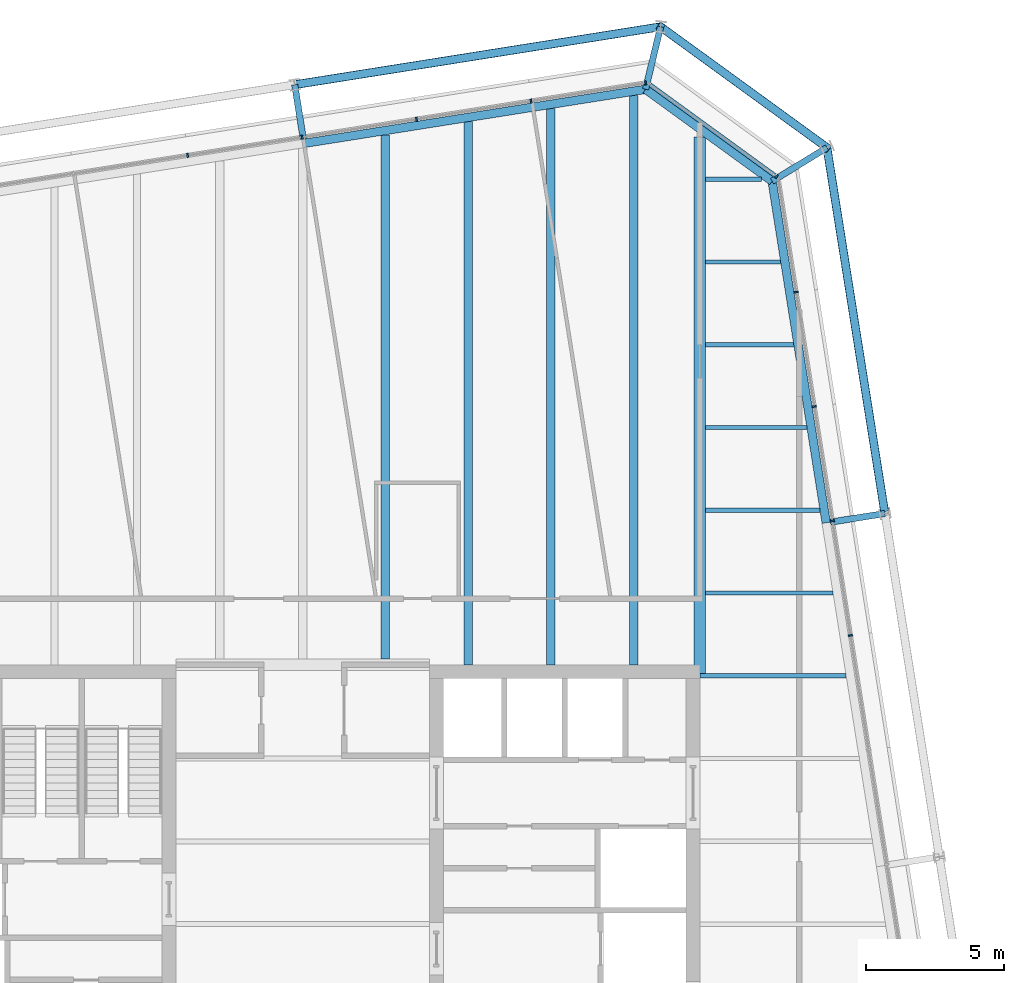
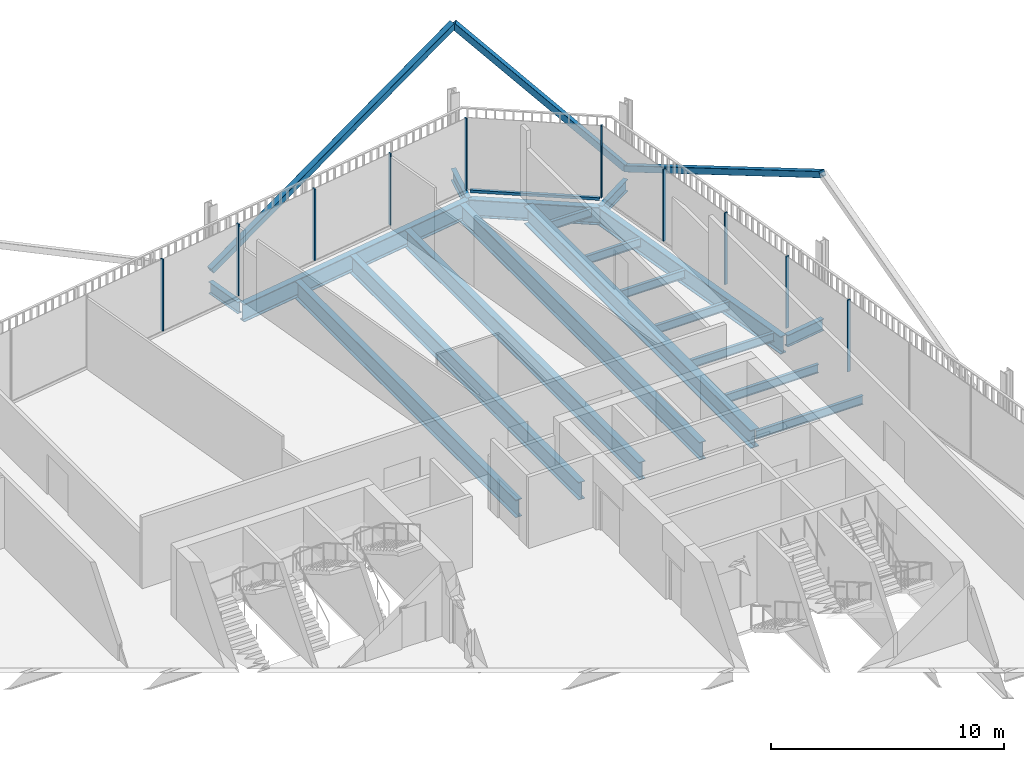
# One storey, part 15 of 21: 19 beams, 14 members, 3 elements without a shape of their own.
"""IFC4 building model written with IfcOpenShell, lengths in metres."""

from ifc_helpers import new_model, si_unit, direction, frame, origin, origin_2d, place, context, subcontext, project, spatial, rectangle, hollow_rectangle, i_section, extrude, material, layer, layer_set, material_profile, profile_set, type_object, element, aggregate, save


model = new_model("IFC4")

# Units and contexts
model_context = context("Model", 3, precision=1e-05, world=origin(), true_north=direction((0.0, 1.0)))
body_context = subcontext(model_context, "Body", "Model", "MODEL_VIEW")
ifc_project = project(units=[si_unit("LENGTHUNIT", "METRE"), si_unit("AREAUNIT", "SQUARE_METRE"), si_unit("VOLUMEUNIT", "CUBIC_METRE"), si_unit("PLANEANGLEUNIT", "RADIAN"), si_unit("MASSUNIT", "GRAM", prefix="KILO")], contexts=[model_context])

# Site, building, storey
site_placement = place(None, origin())
site = spatial("IfcSite", under=ifc_project, at=site_placement, CompositionType="ELEMENT")
building_placement = place(site_placement, origin())
building = spatial("IfcBuilding", under=site, at=building_placement, Name="Millrace Tower", CompositionType="ELEMENT")
storey_placement = place(building_placement, frame((0.0, 0.0, 255.199951171875)))
storey = spatial("IfcBuildingStorey", under=building, at=storey_placement, Name="L58", CompositionType="ELEMENT", Elevation=255.199951171875)

# Curtain wall, members
ifc_material_1 = material(Name="Aluminium and glass", Category="aluminium")
ifc_layer = layer(ifc_material_1, 0.14990234375)
ifc_layer_set = layer_set([ifc_layer], Name="Aluminium and glass")
curtain_wall_type = type_object("IfcCurtainWallType", Name="CW-1 office vision curtain wall", PredefinedType="NOTDEFINED", material=ifc_layer_set)
placement = place(storey_placement, origin())
curtain_wall_1 = element("IfcCurtainWall", 1, at=placement, inside=storey, type_object=curtain_wall_type, Name="Curtain wall D-F04 L58", PredefinedType="NOTDEFINED")
ifc_material_2 = material(Name="Aluminium", Category="aluminium")
ifc_material_profile_1 = material_profile(ifc_material_2, rectangle(XDim=0.06494140625, YDim=0.14990234375, at=origin_2d()))
ifc_profile_set_1 = profile_set([ifc_material_profile_1], Name="Aluminium")
member_type_1 = type_object("IfcMemberType", Name="CW-1 office vision curtain wall mullion", PredefinedType="MULLION", material=ifc_profile_set_1)
member_1_placement = place(storey_placement, frame((19.857421875, 10.466064453125, 0.14013671875), z_axis=(0.0, 0.0, 1.0), x_axis=(-0.156434471884, 0.987688339511, 0.0)))
member_1 = element("IfcMember", 2, at=member_1_placement, type_object=member_type_1, Name="CW1 mullion D-F04.6", PredefinedType="MULLION", context=body_context, shape_type="SweptSolid", body=[
    extrude(rectangle(XDim=0.06494140625, YDim=0.14990234375, at=origin_2d()), origin(), (0.0, 0.0, 1.0), 3.760009765625),
])
member_2_placement = place(storey_placement, frame((19.2001953125, 14.6142578125, 0.14013671875), z_axis=(0.0, 0.0, 1.0), x_axis=(-0.156434471884, 0.987688339511, 0.0)))
member_2 = element("IfcMember", 3, at=member_2_placement, type_object=member_type_1, Name="CW1 mullion D-F04.7", PredefinedType="MULLION", context=body_context, shape_type="SweptSolid", body=[
    extrude(rectangle(XDim=0.06494140625, YDim=0.14990234375, at=origin_2d()), origin(), (0.0, 0.0, 1.0), 3.760009765625),
])
member_3_placement = place(storey_placement, frame((18.543212890625, 18.762451171875, 0.14013671875), z_axis=(0.0, 0.0, 1.0), x_axis=(-0.156434471884, 0.987688339511, 0.0)))
member_3 = element("IfcMember", 4, at=member_3_placement, type_object=member_type_1, Name="CW1 mullion D-F04.8", PredefinedType="MULLION", context=body_context, shape_type="SweptSolid", body=[
    extrude(rectangle(XDim=0.06494140625, YDim=0.14990234375, at=origin_2d()), origin(), (0.0, 0.0, 1.0), 3.760009765625),
])
member_4_placement = place(storey_placement, frame((17.88623046875, 22.910888671875, 0.14013671875), z_axis=(0.0, 0.0, 1.0), x_axis=(-0.156434471884, 0.987688339511, 0.0)))
member_4 = element("IfcMember", 5, at=member_4_placement, type_object=member_type_1, Name="CW1 mullion D-F04.9", PredefinedType="MULLION", context=body_context, shape_type="SweptSolid", body=[
    extrude(rectangle(XDim=0.06494140625, YDim=0.14990234375, at=origin_2d()), origin(), (0.0, 0.0, 1.0), 3.760009765625),
])
aggregate(curtain_wall_1, [member_1, member_2, member_3, member_4])

# Curtain wall, member
curtain_wall_2 = element("IfcCurtainWall", 6, at=placement, inside=storey, type_object=curtain_wall_type, Name="Curtain wall D-F05 L58", PredefinedType="NOTDEFINED")
member_5_placement = place(storey_placement, frame((17.177978515625, 27.094970703125, 0.14013671875), z_axis=(0.0, 0.0, 1.0), x_axis=(-0.809016955361, 0.587785305991, 0.0)))
member_5 = element("IfcMember", 7, at=member_5_placement, type_object=member_type_1, Name="CW1 mullion D-F05.1", PredefinedType="MULLION", context=body_context, shape_type="SweptSolid", body=[
    extrude(rectangle(XDim=0.06494140625, YDim=0.14990234375, at=origin_2d()), origin(), (0.0, 0.0, 1.0), 3.760009765625),
])

# Curtain wall, members
curtain_wall_3 = element("IfcCurtainWall", 8, at=placement, inside=storey, type_object=curtain_wall_type, Name="Curtain wall D-F06 L58", PredefinedType="NOTDEFINED")
member_6_placement = place(storey_placement, frame((12.425537109375, 30.492431640625, 0.14013671875), z_axis=(0.0, 0.0, 1.0), x_axis=(-0.987688339511, -0.156434471884, 0.0)))
member_6 = element("IfcMember", 9, at=member_6_placement, type_object=member_type_1, Name="CW1 mullion D-F06.1", PredefinedType="MULLION", context=body_context, shape_type="SweptSolid", body=[
    extrude(rectangle(XDim=0.06494140625, YDim=0.14990234375, at=origin_2d()), origin(), (0.0, 0.0, 1.0), 3.760009765625),
])
member_7_placement = place(storey_placement, frame((8.277099609375, 29.83544921875, 0.14013671875), z_axis=(0.0, 0.0, 1.0), x_axis=(-0.987688339511, -0.156434471884, 0.0)))
member_7 = element("IfcMember", 10, at=member_7_placement, type_object=member_type_1, Name="CW1 mullion D-F06.2", PredefinedType="MULLION", context=body_context, shape_type="SweptSolid", body=[
    extrude(rectangle(XDim=0.06494140625, YDim=0.14990234375, at=origin_2d()), origin(), (0.0, 0.0, 1.0), 3.760009765625),
])
member_8_placement = place(storey_placement, frame((4.12890625, 29.178466796875, 0.14013671875), z_axis=(0.0, 0.0, 1.0), x_axis=(-0.987688339511, -0.156434471884, 0.0)))
member_8 = element("IfcMember", 11, at=member_8_placement, type_object=member_type_1, Name="CW1 mullion D-F06.3", PredefinedType="MULLION", context=body_context, shape_type="SweptSolid", body=[
    extrude(rectangle(XDim=0.06494140625, YDim=0.14990234375, at=origin_2d()), origin(), (0.0, 0.0, 1.0), 3.760009765625),
])
member_9_placement = place(storey_placement, frame((-0.019287109375, 28.521240234375, 0.14013671875), z_axis=(0.0, 0.0, 1.0), x_axis=(-0.987688339511, -0.156434471884, 0.0)))
member_9 = element("IfcMember", 12, at=member_9_placement, type_object=member_type_1, Name="CW1 mullion D-F06.4", PredefinedType="MULLION", context=body_context, shape_type="SweptSolid", body=[
    extrude(rectangle(XDim=0.06494140625, YDim=0.14990234375, at=origin_2d()), origin(), (0.0, 0.0, 1.0), 3.760009765625),
])
member_10_placement = place(storey_placement, frame((-4.167724609375, 27.8642578125, 0.14013671875), z_axis=(0.0, 0.0, 1.0), x_axis=(-0.987688339511, -0.156434471884, 0.0)))
member_10 = element("IfcMember", 13, at=member_10_placement, type_object=member_type_1, Name="CW1 mullion D-F06.5", PredefinedType="MULLION", context=body_context, shape_type="SweptSolid", body=[
    extrude(rectangle(XDim=0.06494140625, YDim=0.14990234375, at=origin_2d()), origin(), (0.0, 0.0, 1.0), 3.760009765625),
])
aggregate(curtain_wall_3, [member_6, member_7, member_8, member_9, member_10])

# Member
ifc_material_3 = material(Name="Aluminium", Category="aluminium")
ifc_material_profile_2 = material_profile(ifc_material_3, rectangle(XDim=0.14990234375, YDim=0.139892578125, at=origin_2d()))
ifc_profile_set_2 = profile_set([ifc_material_profile_2], Name="Aluminium")
member_type_2 = type_object("IfcMemberType", Name="CW-1 office vision curtain wall transom", PredefinedType="USERDEFINED", material=ifc_profile_set_2)
member_11_placement = place(storey_placement, frame((17.123291015625, 27.134765625, 0.070068359375), z_axis=(-0.809018869857, 0.587782670904, 0.0), x_axis=(-0.587782670904, -0.809018869857, 0.0)))
member_11 = element("IfcMember", 14, at=member_11_placement, type_object=member_type_2, Name="CW1 transom D-F05.1", ObjectType="TRANSOM", PredefinedType="USERDEFINED", context=body_context, shape_type="SweptSolid", body=[
    extrude(rectangle(XDim=0.14990234375, YDim=0.139892578125, at=origin_2d()), origin(), (0.0, 0.0, 1.0), 5.59814453125),
])

aggregate(curtain_wall_2, [member_5, member_11])

# Members
ifc_material_4 = material(Name="Steel ASTM A500 Grade C", Category="steel")
ifc_material_profile_3 = material_profile(ifc_material_4, hollow_rectangle(XDim=0.3046875, YDim=0.3046875, WallThickness=0.009521484375, InnerFilletRadius=0.004638671875, OuterFilletRadius=0.014404296875, at=origin_2d()))
ifc_profile_set_3 = profile_set([ifc_material_profile_3], Name="Steel ASTM A500 Grade C")
member_type_3 = type_object("IfcMemberType", Name="Exoskeleton brace HSS12x12x3/8", PredefinedType="BRACE", material=ifc_profile_set_3)
member_12_placement = place(storey_placement, frame((19.006103515625, 28.146484375, 0.400146484375), z_axis=(0.138712380788, -0.87583551821, 0.462245627841), x_axis=(0.987689444837, 0.156427492975, 0.0)))
element("IfcMember", 15, at=member_12_placement, inside=storey, type_object=member_type_3, Name="BRC-D-L58-08", PredefinedType="BRACE", context=body_context, shape_type="SweptSolid", body=[
    extrude(hollow_rectangle(XDim=0.3046875, YDim=0.3046875, WallThickness=0.009521484375, InnerFilletRadius=0.004638671875, OuterFilletRadius=0.014404296875, at=origin_2d()), origin(), (0.0, 0.0, 1.0), 15.1435546875),
])
member_13_placement = place(storey_placement, frame((19.006103515625, 28.146484375, 0.400146484375), z_axis=(-0.589795997835, 0.428482435505, 0.684502361867), x_axis=(-0.587758820843, -0.809036197288, 0.0)))
element("IfcMember", 16, at=member_13_placement, inside=storey, type_object=member_type_3, Name="BRC-D-L58-09", PredefinedType="BRACE", context=body_context, shape_type="SweptSolid", body=[
    extrude(hollow_rectangle(XDim=0.3046875, YDim=0.3046875, WallThickness=0.009521484375, InnerFilletRadius=0.004638671875, OuterFilletRadius=0.014404296875, at=origin_2d()), origin(), (0.0, 0.0, 1.0), 10.226318359375),
])
member_14_placement = place(storey_placement, frame((-0.288330078125, 30.427734375, 0.400146484375), z_axis=(0.875831763156, 0.138714339442, 0.462252154868), x_axis=(-0.156430301989, 0.987688999949, 0.0)))
element("IfcMember", 17, at=member_14_placement, inside=storey, type_object=member_type_3, Name="BRC-D-L58-10", PredefinedType="BRACE", context=body_context, shape_type="SweptSolid", body=[
    extrude(hollow_rectangle(XDim=0.3046875, YDim=0.3046875, WallThickness=0.009521484375, InnerFilletRadius=0.004638671875, OuterFilletRadius=0.014404296875, at=origin_2d()), origin(), (0.0, 0.0, 1.0), 15.143310546875),
])

# Beams
ifc_material_5 = material(Name="Steel ASTM A992 Grade 50", Category="steel")
ifc_material_profile_4 = material_profile(ifc_material_5, i_section(OverallWidth=0.15234375, OverallDepth=0.449462890625, WebThickness=0.007568359375, FlangeThickness=0.0107421875, FilletRadius=0.01025390625, at=origin_2d()))
ifc_profile_set_4 = profile_set([ifc_material_profile_4], Name="Steel ASTM A992 Grade 50")
beam_type_1 = type_object("IfcBeamType", Name="Floor beam W18x35", PredefinedType="JOIST", material=ifc_profile_set_4)
beam_1_placement = place(storey_placement, frame((14.39990234375, 9.0, -0.384765625), z_axis=(1.0, 0.0, 0.0), x_axis=(0.0, 1.0, 0.0)))
element("IfcBeam", 18, at=beam_1_placement, inside=storey, type_object=beam_type_1, Name="BM-D-L58-S1-S024", PredefinedType="JOIST", context=body_context, shape_type="SweptSolid", body=[
    extrude(i_section(OverallWidth=0.15234375, OverallDepth=0.449462890625, WebThickness=0.007568359375, FlangeThickness=0.0107421875, FilletRadius=0.01025390625, at=origin_2d()), origin(), (0.0, 0.0, 1.0), 5.302490234375),
])
beam_2_placement = place(storey_placement, frame((14.609619140625, 12.0, -0.384765625), z_axis=(1.0, 0.0, 0.0), x_axis=(0.0, 1.0, 0.0)))
element("IfcBeam", 19, at=beam_2_placement, inside=storey, type_object=beam_type_1, Name="BM-D-L58-S1-S026", PredefinedType="JOIST", context=body_context, shape_type="SweptSolid", body=[
    extrude(i_section(OverallWidth=0.15234375, OverallDepth=0.449462890625, WebThickness=0.007568359375, FlangeThickness=0.0107421875, FilletRadius=0.01025390625, at=origin_2d()), origin(), (0.0, 0.0, 1.0), 4.61767578125),
])
beam_3_placement = place(storey_placement, frame((14.609619140625, 15.0, -0.384765625), z_axis=(1.0, 0.0, 0.0), x_axis=(0.0, 1.0, 0.0)))
element("IfcBeam", 20, at=beam_3_placement, inside=storey, type_object=beam_type_1, Name="BM-D-L58-S1-S028", PredefinedType="JOIST", context=body_context, shape_type="SweptSolid", body=[
    extrude(i_section(OverallWidth=0.15234375, OverallDepth=0.449462890625, WebThickness=0.007568359375, FlangeThickness=0.0107421875, FilletRadius=0.01025390625, at=origin_2d()), origin(), (0.0, 0.0, 1.0), 4.142578125),
])
beam_4_placement = place(storey_placement, frame((14.609619140625, 18.0, -0.384765625), z_axis=(1.0, 0.0, 0.0), x_axis=(0.0, 1.0, 0.0)))
element("IfcBeam", 21, at=beam_4_placement, inside=storey, type_object=beam_type_1, Name="BM-D-L58-S1-S030", PredefinedType="JOIST", context=body_context, shape_type="SweptSolid", body=[
    extrude(i_section(OverallWidth=0.15234375, OverallDepth=0.449462890625, WebThickness=0.007568359375, FlangeThickness=0.0107421875, FilletRadius=0.01025390625, at=origin_2d()), origin(), (0.0, 0.0, 1.0), 3.667236328125),
])
beam_5_placement = place(storey_placement, frame((14.609619140625, 21.0, -0.384765625), z_axis=(1.0, 0.0, 0.0), x_axis=(0.0, 1.0, 0.0)))
element("IfcBeam", 22, at=beam_5_placement, inside=storey, type_object=beam_type_1, Name="BM-D-L58-S1-S032", PredefinedType="JOIST", context=body_context, shape_type="SweptSolid", body=[
    extrude(i_section(OverallWidth=0.15234375, OverallDepth=0.449462890625, WebThickness=0.007568359375, FlangeThickness=0.0107421875, FilletRadius=0.01025390625, at=origin_2d()), origin(), (0.0, 0.0, 1.0), 3.192138671875),
])
beam_6_placement = place(storey_placement, frame((14.609619140625, 24.0, -0.384765625), z_axis=(1.0, 0.0, 0.0), x_axis=(0.0, 1.0, 0.0)))
element("IfcBeam", 23, at=beam_6_placement, inside=storey, type_object=beam_type_1, Name="BM-D-L58-S1-S034", PredefinedType="JOIST", context=body_context, shape_type="SweptSolid", body=[
    extrude(i_section(OverallWidth=0.15234375, OverallDepth=0.449462890625, WebThickness=0.007568359375, FlangeThickness=0.0107421875, FilletRadius=0.01025390625, at=origin_2d()), origin(), (0.0, 0.0, 1.0), 2.717041015625),
])
beam_7_placement = place(storey_placement, frame((14.609619140625, 27.0, -0.384765625), z_axis=(1.0, 0.0, 0.0), x_axis=(0.0, 1.0, 0.0)))
element("IfcBeam", 24, at=beam_7_placement, inside=storey, type_object=beam_type_1, Name="BM-D-L58-S1-S035", PredefinedType="JOIST", context=body_context, shape_type="SweptSolid", body=[
    extrude(i_section(OverallWidth=0.15234375, OverallDepth=0.449462890625, WebThickness=0.007568359375, FlangeThickness=0.0107421875, FilletRadius=0.01025390625, at=origin_2d()), origin(), (0.0, 0.0, 1.0), 2.020751953125),
])
ifc_material_6 = material(Name="Steel ASTM A992 Grade 50", Category="steel")
ifc_material_profile_5 = material_profile(ifc_material_6, i_section(OverallWidth=0.307373046875, OverallDepth=0.927001953125, WebThickness=0.01953125, FlangeThickness=0.031982421875, FilletRadius=0.01904296875, at=origin_2d()))
ifc_profile_set_5 = profile_set([ifc_material_profile_5], Name="Steel ASTM A992 Grade 50")
beam_type_2 = type_object("IfcBeamType", Name="Floor beam W36x194", PredefinedType="JOIST", material=ifc_profile_set_5)
beam_8_placement = place(storey_placement, frame((3.0, 9.609619140625, -0.62353515625), z_axis=(0.0, 1.0, 0.0), x_axis=(-1.0, 0.0, 0.0)))
element("IfcBeam", 25, at=beam_8_placement, inside=storey, type_object=beam_type_2, Name="BM-D-L58-S1-S046", PredefinedType="JOIST", context=body_context, shape_type="SweptSolid", body=[
    extrude(i_section(OverallWidth=0.307373046875, OverallDepth=0.927001953125, WebThickness=0.01953125, FlangeThickness=0.031982421875, FilletRadius=0.01904296875, at=origin_2d()), origin(), (0.0, 0.0, 1.0), 19.0029296875),
])
beam_9_placement = place(storey_placement, frame((6.0, 9.39990234375, -0.62353515625), z_axis=(0.0, 1.0, 0.0), x_axis=(-1.0, 0.0, 0.0)))
element("IfcBeam", 26, at=beam_9_placement, inside=storey, type_object=beam_type_2, Name="BM-D-L58-S1-S048", PredefinedType="JOIST", context=body_context, shape_type="SweptSolid", body=[
    extrude(i_section(OverallWidth=0.307373046875, OverallDepth=0.927001953125, WebThickness=0.01953125, FlangeThickness=0.031982421875, FilletRadius=0.01904296875, at=origin_2d()), origin(), (0.0, 0.0, 1.0), 19.687744140625),
])
beam_10_placement = place(storey_placement, frame((9.0, 9.39990234375, -0.62353515625), z_axis=(0.0, 1.0, 0.0), x_axis=(-1.0, 0.0, 0.0)))
element("IfcBeam", 27, at=beam_10_placement, inside=storey, type_object=beam_type_2, Name="BM-D-L58-S1-S050", PredefinedType="JOIST", context=body_context, shape_type="SweptSolid", body=[
    extrude(i_section(OverallWidth=0.307373046875, OverallDepth=0.927001953125, WebThickness=0.01953125, FlangeThickness=0.031982421875, FilletRadius=0.01904296875, at=origin_2d()), origin(), (0.0, 0.0, 1.0), 20.162841796875),
])
beam_11_placement = place(storey_placement, frame((12.0, 9.39990234375, -0.62353515625), z_axis=(0.0, 1.0, 0.0), x_axis=(-1.0, 0.0, 0.0)))
element("IfcBeam", 28, at=beam_11_placement, inside=storey, type_object=beam_type_2, Name="BM-D-L58-S1-S052", PredefinedType="JOIST", context=body_context, shape_type="SweptSolid", body=[
    extrude(i_section(OverallWidth=0.307373046875, OverallDepth=0.927001953125, WebThickness=0.01953125, FlangeThickness=0.031982421875, FilletRadius=0.01904296875, at=origin_2d()), origin(), (0.0, 0.0, 1.0), 20.637939453125),
])
ifc_material_7 = material(Name="Steel ASTM A992 Grade 50", Category="steel")
ifc_material_profile_6 = material_profile(ifc_material_7, i_section(OverallWidth=0.424072265625, OverallDepth=0.947509765625, WebThickness=0.02392578125, FlangeThickness=0.042724609375, FilletRadius=0.024169921875, at=origin_2d()))
ifc_profile_set_6 = profile_set([ifc_material_profile_6], Name="Steel ASTM A992 Grade 50")
beam_type_3 = type_object("IfcBeamType", Name="Girder medium span W36x302", PredefinedType="BEAM", material=ifc_profile_set_6)
beam_12_placement = place(storey_placement, frame((14.39990234375, 9.080078125, -0.633544921875), z_axis=(0.0, 1.0, 0.0), x_axis=(-1.0, 0.0, 0.0)))
element("IfcBeam", 29, at=beam_12_placement, inside=storey, type_object=beam_type_3, Name="BM-D-L58-S1-G056", PredefinedType="BEAM", context=body_context, shape_type="SweptSolid", body=[
    extrude(i_section(OverallWidth=0.424072265625, OverallDepth=0.947509765625, WebThickness=0.02392578125, FlangeThickness=0.042724609375, FilletRadius=0.024169921875, at=origin_2d()), origin(), (0.0, 0.0, 1.0), 19.460693359375),
])
ifc_material_8 = material(Name="Steel ASTM A992 Grade 50", Category="steel")
ifc_material_profile_7 = material_profile(ifc_material_8, i_section(OverallWidth=0.23046875, OverallDepth=0.6171875, WebThickness=0.01318359375, FlangeThickness=0.022216796875, FilletRadius=0.012939453125, at=origin_2d()))
ifc_profile_set_7 = profile_set([ifc_material_profile_7], Name="Steel ASTM A992 Grade 50")
beam_type_4 = type_object("IfcBeamType", Name="Link beam W24x94", PredefinedType="BEAM", material=ifc_profile_set_7)
beam_13_placement = place(storey_placement, frame((0.0244140625, 28.452392578125, -0.468505859375), z_axis=(-0.15637629034, 0.987697552806, 0.0), x_axis=(-0.987697552806, -0.15637629034, 0.0)))
element("IfcBeam", 30, at=beam_13_placement, inside=storey, type_object=beam_type_4, Name="LNK-D-L58-S1-07", PredefinedType="BEAM", context=body_context, shape_type="SweptSolid", body=[
    extrude(i_section(OverallWidth=0.23046875, OverallDepth=0.6171875, WebThickness=0.01318359375, FlangeThickness=0.022216796875, FilletRadius=0.012939453125, at=origin_2d()), origin(), (0.0, 0.0, 1.0), 2.0),
])
beam_14_placement = place(storey_placement, frame((12.430419921875, 30.26171875, -0.468505859375), z_axis=(0.233456138164, 0.972367333652, 0.0), x_axis=(-0.972367333652, 0.233456138164, 0.0)))
element("IfcBeam", 31, at=beam_14_placement, inside=storey, type_object=beam_type_4, Name="LNK-D-L58-S1-08", PredefinedType="BEAM", context=body_context, shape_type="SweptSolid", body=[
    extrude(i_section(OverallWidth=0.23046875, OverallDepth=0.6171875, WebThickness=0.01318359375, FlangeThickness=0.022216796875, FilletRadius=0.012939453125, at=origin_2d()), origin(), (0.0, 0.0, 1.0), 2.3310546875),
])
beam_15_placement = place(storey_placement, frame((17.018310546875, 26.928466796875, -0.468505859375), z_axis=(0.852659946142, 0.5224662824, 0.0), x_axis=(-0.5224662824, 0.852659946142, 0.0)))
element("IfcBeam", 32, at=beam_15_placement, inside=storey, type_object=beam_type_4, Name="LNK-D-L58-S1-09", PredefinedType="BEAM", context=body_context, shape_type="SweptSolid", body=[
    extrude(i_section(OverallWidth=0.23046875, OverallDepth=0.6171875, WebThickness=0.01318359375, FlangeThickness=0.022216796875, FilletRadius=0.012939453125, at=origin_2d()), origin(), (0.0, 0.0, 1.0), 2.331298828125),
])
beam_16_placement = place(storey_placement, frame((19.13134765625, 14.5703125, -0.468505859375), z_axis=(0.987678691416, 0.156495375404, 0.0), x_axis=(-0.156495375404, 0.987678691416, 0.0)))
element("IfcBeam", 33, at=beam_16_placement, inside=storey, type_object=beam_type_4, Name="LNK-D-L58-S1-10", PredefinedType="BEAM", context=body_context, shape_type="SweptSolid", body=[
    extrude(i_section(OverallWidth=0.23046875, OverallDepth=0.6171875, WebThickness=0.01318359375, FlangeThickness=0.022216796875, FilletRadius=0.012939453125, at=origin_2d()), origin(), (0.0, 0.0, 1.0), 2.0),
])
ifc_material_9 = material(Name="Steel ASTM A992 Grade 50", Category="steel")
ifc_material_profile_8 = material_profile(ifc_material_9, i_section(OverallWidth=0.307373046875, OverallDepth=0.927001953125, WebThickness=0.01953125, FlangeThickness=0.031982421875, FilletRadius=0.01904296875, at=origin_2d()))
ifc_profile_set_8 = profile_set([ifc_material_profile_8], Name="Steel ASTM A992 Grade 50")
beam_type_5 = type_object("IfcBeamType", Name="Ring beam medium span W36x194", PredefinedType="SPANDREL", material=ifc_profile_set_8)
beam_17_placement = place(storey_placement, frame((0.048583984375, 28.300537109375, -0.62353515625), z_axis=(0.987687213011, 0.156441584157, 0.0), x_axis=(-0.156441584157, 0.987687213011, 0.0)))
element("IfcBeam", 34, at=beam_17_placement, inside=storey, type_object=beam_type_5, Name="RNG-D-L58-S1-07", PredefinedType="SPANDREL", context=body_context, shape_type="SweptSolid", body=[
    extrude(i_section(OverallWidth=0.307373046875, OverallDepth=0.927001953125, WebThickness=0.01953125, FlangeThickness=0.031982421875, FilletRadius=0.01904296875, at=origin_2d()), origin(), (0.0, 0.0, 1.0), 12.5361328125),
])
beam_18_placement = place(storey_placement, frame((17.018310546875, 26.928466796875, -0.62353515625), z_axis=(0.156438575049, -0.987687689625, 0.0), x_axis=(0.987687689625, 0.156438575049, 0.0)))
element("IfcBeam", 35, at=beam_18_placement, inside=storey, type_object=beam_type_5, Name="RNG-D-L58-S1-09", PredefinedType="SPANDREL", context=body_context, shape_type="SweptSolid", body=[
    extrude(i_section(OverallWidth=0.307373046875, OverallDepth=0.927001953125, WebThickness=0.01953125, FlangeThickness=0.031982421875, FilletRadius=0.01904296875, at=origin_2d()), origin(), (0.0, 0.0, 1.0), 12.536376953125),
])
ifc_material_10 = material(Name="Steel ASTM A992 Grade 50", Category="steel")
ifc_material_profile_9 = material_profile(ifc_material_10, i_section(OverallWidth=0.307373046875, OverallDepth=0.927001953125, WebThickness=0.01953125, FlangeThickness=0.031982421875, FilletRadius=0.01904296875, at=origin_2d()))
ifc_profile_set_9 = profile_set([ifc_material_profile_9], Name="Steel ASTM A992 Grade 50")
beam_type_6 = type_object("IfcBeamType", Name="Ring beam short span W36x194", PredefinedType="SPANDREL", material=ifc_profile_set_9)
beam_19_placement = place(storey_placement, frame((12.430419921875, 30.26171875, -0.62353515625), z_axis=(0.80902082646, -0.587779977844, 0.0), x_axis=(0.587779977844, 0.80902082646, 0.0)))
element("IfcBeam", 36, at=beam_19_placement, inside=storey, type_object=beam_type_6, Name="RNG-D-L58-S1-08", PredefinedType="SPANDREL", context=body_context, shape_type="SweptSolid", body=[
    extrude(i_section(OverallWidth=0.307373046875, OverallDepth=0.927001953125, WebThickness=0.01953125, FlangeThickness=0.031982421875, FilletRadius=0.01904296875, at=origin_2d()), origin(), (0.0, 0.0, 1.0), 5.6708984375),
])

save(model, "model.ifc")
